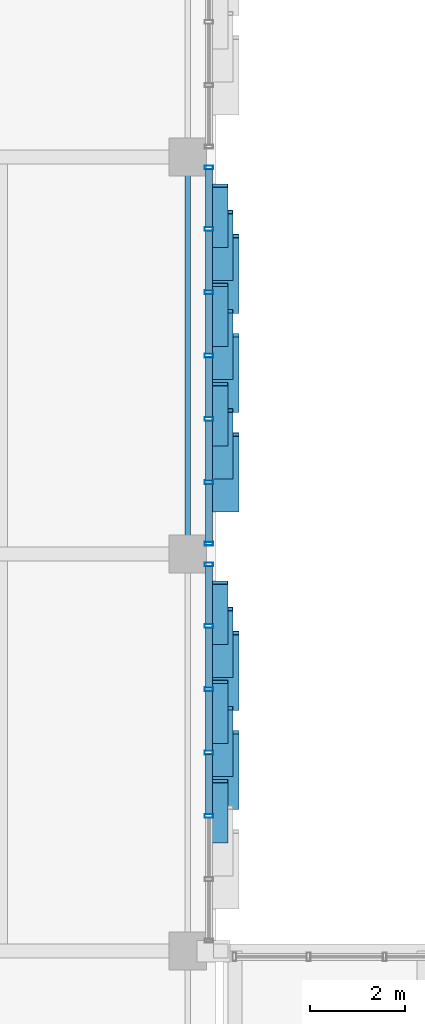
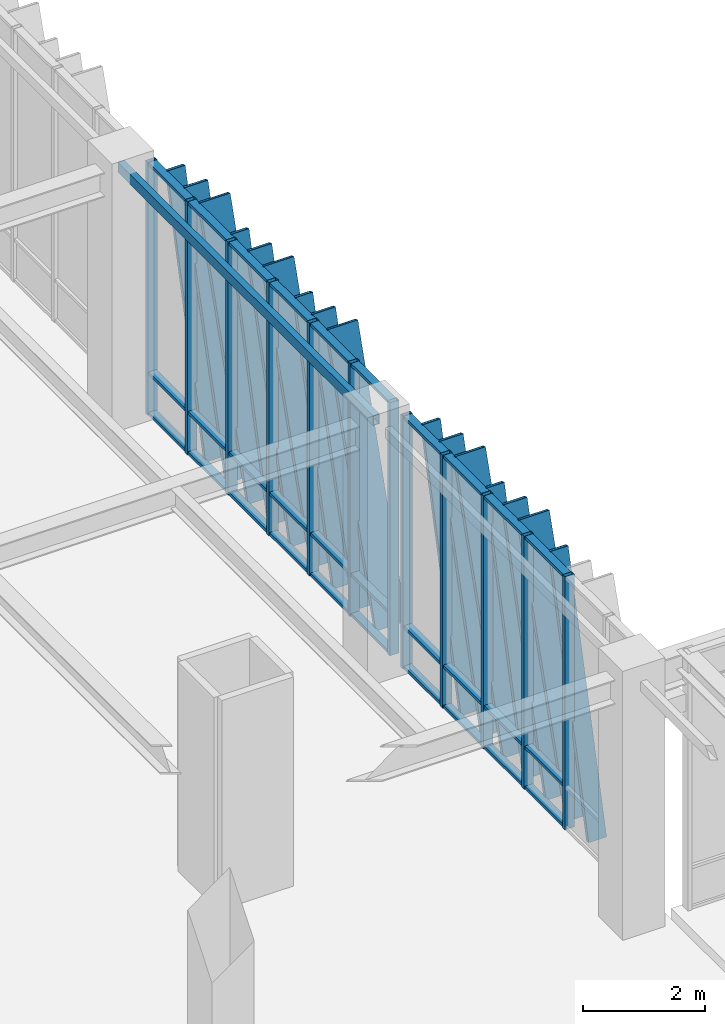
# One storey, part 62 of 139: 58 members, 1 beam, 2 elements without a shape of their own.
"""IFC4 building model written with IfcOpenShell, lengths in metres."""

from ifc_helpers import new_model, si_unit, direction, frame, origin, origin_2d, place, context, subcontext, project, spatial, hollow_rectangle, extrude, material, layer, layer_set, material_profile, profile_set, type_object, element, aggregate, save


model = new_model("IFC4")

# Units and contexts
model_context = context("Model", 3, precision=1e-05, world=origin(), true_north=direction((0.0, 1.0)))
body_context = subcontext(model_context, "Body", "Model", "MODEL_VIEW")
ifc_project = project(units=[si_unit("LENGTHUNIT", "METRE"), si_unit("AREAUNIT", "SQUARE_METRE"), si_unit("VOLUMEUNIT", "CUBIC_METRE"), si_unit("PLANEANGLEUNIT", "RADIAN"), si_unit("MASSUNIT", "GRAM", prefix="KILO")], contexts=[model_context])

# Site, building, storey
site_placement = place(None, origin())
site = spatial("IfcSite", under=ifc_project, at=site_placement, CompositionType="ELEMENT")
building_placement = place(site_placement, origin())
building = spatial("IfcBuilding", under=site, at=building_placement, Name="Zayran Congress Hotel", CompositionType="ELEMENT")
storey_placement = place(building_placement, frame((0.0, 0.0, 5.39990234375)))
storey = spatial("IfcBuildingStorey", under=building, at=storey_placement, Name="L01", CompositionType="ELEMENT", Elevation=5.39990234375)

# Beam
ifc_material_1 = material(Name="Steel S355", Category="steel")
ifc_material_profile_1 = material_profile(ifc_material_1, hollow_rectangle(XDim=0.1201171875, YDim=0.199951171875, WallThickness=0.008056640625, at=origin_2d()), Name="RHS 200x120x8")
ifc_profile_set_1 = profile_set([ifc_material_profile_1], Name="Steel S355")
beam_type = type_object("IfcBeamType", Name="TP-SP-02", PredefinedType="SPANDREL", material=ifc_profile_set_1)
beam_placement = place(storey_placement, frame((91.800048828125, 92.800048828125, 4.97998046875), z_axis=(0.0, 1.0, 0.0), x_axis=(-1.0, 0.0, 0.0)))
element("IfcBeam", 1, at=beam_placement, inside=storey, type_object=beam_type, Name="BM-V1-L01-0615", PredefinedType="SPANDREL", context=body_context, shape_type="SweptSolid", body=[
    extrude(hollow_rectangle(XDim=0.1201171875, YDim=0.199951171875, WallThickness=0.008056640625, at=origin_2d()), origin(), (0.0, 0.0, 1.0), 8.39990234375),
])

# Curtain wall, members
ifc_material_2 = material(Name="Anodised aluminium and low-E insulated glass", Category="aluminium")
ifc_layer_1 = layer(ifc_material_2, 0.179931640625)
ifc_layer_set_1 = layer_set([ifc_layer_1], Name="Anodised aluminium and low-E insulated glass")
curtain_wall_type_1 = type_object("IfcCurtainWallType", Name="CW-V1E-L01-CW-41-8040-5080", PredefinedType="USERDEFINED", material=ifc_layer_set_1)
curtain_wall_1_placement = place(storey_placement, origin())
curtain_wall_1 = element("IfcCurtainWall", 2, at=curtain_wall_1_placement, inside=storey, type_object=curtain_wall_type_1, Name="CW-V1E-L01-2", ObjectType="CURTAIN WALL", PredefinedType="USERDEFINED")
ifc_material_3 = material(Name="Anodised aluminium framing", Category="aluminium")
ifc_material_profile_2 = material_profile(ifc_material_3, hollow_rectangle(XDim=0.080078125, YDim=0.179931640625, WallThickness=0.0048828125, at=origin_2d()), Name="RHS 180x80x5")
ifc_profile_set_2 = profile_set([ifc_material_profile_2], Name="Anodised aluminium framing")
member_type_1 = type_object("IfcMemberType", Name="TP-CWM-01", PredefinedType="MULLION", material=ifc_profile_set_2)
member_1_placement = place(storey_placement, frame((92.25, 87.260009765625, 0.0), z_axis=(0.0, 0.0, 1.0), x_axis=(0.0, 1.0, 0.0)))
member_1 = element("IfcMember", 3, at=member_1_placement, type_object=member_type_1, Name="CW-V1E-L01-2-M02", PredefinedType="MULLION", context=body_context, shape_type="SweptSolid", body=[
    extrude(hollow_rectangle(XDim=0.080078125, YDim=0.179931640625, WallThickness=0.0048828125, at=origin_2d()), origin(), (0.0, 0.0, 1.0), 5.080078125),
])
member_2_placement = place(storey_placement, frame((92.25, 88.60009765625, 0.0), z_axis=(0.0, 0.0, 1.0), x_axis=(0.0, 1.0, 0.0)))
member_2 = element("IfcMember", 4, at=member_2_placement, type_object=member_type_1, Name="CW-V1E-L01-2-M03", PredefinedType="MULLION", context=body_context, shape_type="SweptSolid", body=[
    extrude(hollow_rectangle(XDim=0.080078125, YDim=0.179931640625, WallThickness=0.0048828125, at=origin_2d()), origin(), (0.0, 0.0, 1.0), 5.080078125),
])
member_3_placement = place(storey_placement, frame((92.25, 89.93994140625, 0.0), z_axis=(0.0, 0.0, 1.0), x_axis=(0.0, 1.0, 0.0)))
member_3 = element("IfcMember", 5, at=member_3_placement, type_object=member_type_1, Name="CW-V1E-L01-2-M04", PredefinedType="MULLION", context=body_context, shape_type="SweptSolid", body=[
    extrude(hollow_rectangle(XDim=0.080078125, YDim=0.179931640625, WallThickness=0.0048828125, at=origin_2d()), origin(), (0.0, 0.0, 1.0), 5.080078125),
])
member_4_placement = place(storey_placement, frame((92.25, 91.280029296875, 0.0), z_axis=(0.0, 0.0, 1.0), x_axis=(0.0, 1.0, 0.0)))
member_4 = element("IfcMember", 6, at=member_4_placement, type_object=member_type_1, Name="CW-V1E-L01-2-M05", PredefinedType="MULLION", context=body_context, shape_type="SweptSolid", body=[
    extrude(hollow_rectangle(XDim=0.080078125, YDim=0.179931640625, WallThickness=0.0048828125, at=origin_2d()), origin(), (0.0, 0.0, 1.0), 5.080078125),
])
member_5_placement = place(storey_placement, frame((92.25, 92.580078125, 0.0), z_axis=(0.0, 0.0, 1.0), x_axis=(0.0, 1.0, 0.0)))
member_5 = element("IfcMember", 7, at=member_5_placement, type_object=member_type_1, Name="CW-V1E-L01-2-M06", PredefinedType="MULLION", context=body_context, shape_type="SweptSolid", body=[
    extrude(hollow_rectangle(XDim=0.080078125, YDim=0.179931640625, WallThickness=0.0048828125, at=origin_2d()), origin(), (0.0, 0.0, 1.0), 5.080078125),
])

ifc_layer_2 = layer(ifc_material_2, 0.179931640625)
ifc_layer_set_2 = layer_set([ifc_layer_2], Name="Anodised aluminium and low-E insulated glass")
curtain_wall_type_2 = type_object("IfcCurtainWallType", Name="CW-V1E-L01-CW-42-8040-5080", PredefinedType="USERDEFINED", material=ifc_layer_set_2)
curtain_wall_2_placement = place(storey_placement, origin())
curtain_wall_2 = element("IfcCurtainWall", 8, at=curtain_wall_2_placement, inside=storey, type_object=curtain_wall_type_2, Name="CW-V1E-L01-3", ObjectType="CURTAIN WALL", PredefinedType="USERDEFINED")
member_6_placement = place(storey_placement, frame((92.25, 93.02001953125, 0.0), z_axis=(0.0, 0.0, 1.0), x_axis=(0.0, 1.0, 0.0)))
member_6 = element("IfcMember", 9, at=member_6_placement, type_object=member_type_1, Name="CW-V1E-L01-3-M00", PredefinedType="MULLION", context=body_context, shape_type="SweptSolid", body=[
    extrude(hollow_rectangle(XDim=0.080078125, YDim=0.179931640625, WallThickness=0.0048828125, at=origin_2d()), origin(), (0.0, 0.0, 1.0), 5.080078125),
])
member_7_placement = place(storey_placement, frame((92.25, 94.320068359375, 0.0), z_axis=(0.0, 0.0, 1.0), x_axis=(0.0, 1.0, 0.0)))
member_7 = element("IfcMember", 10, at=member_7_placement, type_object=member_type_1, Name="CW-V1E-L01-3-M01", PredefinedType="MULLION", context=body_context, shape_type="SweptSolid", body=[
    extrude(hollow_rectangle(XDim=0.080078125, YDim=0.179931640625, WallThickness=0.0048828125, at=origin_2d()), origin(), (0.0, 0.0, 1.0), 5.080078125),
])
member_8_placement = place(storey_placement, frame((92.25, 95.659912109375, 0.0), z_axis=(0.0, 0.0, 1.0), x_axis=(0.0, 1.0, 0.0)))
member_8 = element("IfcMember", 11, at=member_8_placement, type_object=member_type_1, Name="CW-V1E-L01-3-M02", PredefinedType="MULLION", context=body_context, shape_type="SweptSolid", body=[
    extrude(hollow_rectangle(XDim=0.080078125, YDim=0.179931640625, WallThickness=0.0048828125, at=origin_2d()), origin(), (0.0, 0.0, 1.0), 5.080078125),
])
member_9_placement = place(storey_placement, frame((92.25, 97.0, 0.0), z_axis=(0.0, 0.0, 1.0), x_axis=(0.0, 1.0, 0.0)))
member_9 = element("IfcMember", 12, at=member_9_placement, type_object=member_type_1, Name="CW-V1E-L01-3-M03", PredefinedType="MULLION", context=body_context, shape_type="SweptSolid", body=[
    extrude(hollow_rectangle(XDim=0.080078125, YDim=0.179931640625, WallThickness=0.0048828125, at=origin_2d()), origin(), (0.0, 0.0, 1.0), 5.080078125),
])
member_10_placement = place(storey_placement, frame((92.25, 98.340087890625, 0.0), z_axis=(0.0, 0.0, 1.0), x_axis=(0.0, 1.0, 0.0)))
member_10 = element("IfcMember", 13, at=member_10_placement, type_object=member_type_1, Name="CW-V1E-L01-3-M04", PredefinedType="MULLION", context=body_context, shape_type="SweptSolid", body=[
    extrude(hollow_rectangle(XDim=0.080078125, YDim=0.179931640625, WallThickness=0.0048828125, at=origin_2d()), origin(), (0.0, 0.0, 1.0), 5.080078125),
])
member_11_placement = place(storey_placement, frame((92.25, 99.679931640625, 0.0), z_axis=(0.0, 0.0, 1.0), x_axis=(0.0, 1.0, 0.0)))
member_11 = element("IfcMember", 14, at=member_11_placement, type_object=member_type_1, Name="CW-V1E-L01-3-M05", PredefinedType="MULLION", context=body_context, shape_type="SweptSolid", body=[
    extrude(hollow_rectangle(XDim=0.080078125, YDim=0.179931640625, WallThickness=0.0048828125, at=origin_2d()), origin(), (0.0, 0.0, 1.0), 5.080078125),
])
member_12_placement = place(storey_placement, frame((92.25, 100.97998046875, 0.0), z_axis=(0.0, 0.0, 1.0), x_axis=(0.0, 1.0, 0.0)))
member_12 = element("IfcMember", 15, at=member_12_placement, type_object=member_type_1, Name="CW-V1E-L01-3-M06", PredefinedType="MULLION", context=body_context, shape_type="SweptSolid", body=[
    extrude(hollow_rectangle(XDim=0.080078125, YDim=0.179931640625, WallThickness=0.0048828125, at=origin_2d()), origin(), (0.0, 0.0, 1.0), 5.080078125),
])

# Member
ifc_material_profile_3 = material_profile(ifc_material_3, hollow_rectangle(XDim=0.06005859375, YDim=0.14990234375, WallThickness=0.00390625, at=origin_2d()), Name="RHS 150x60x4")
ifc_profile_set_3 = profile_set([ifc_material_profile_3], Name="Anodised aluminium framing")
member_type_2 = type_object("IfcMemberType", Name="TP-CWT-01", PredefinedType="USERDEFINED", material=ifc_profile_set_3)
member_13_placement = place(storey_placement, frame((92.25, 87.300048828125, 0.030029296875), z_axis=(0.0, 1.0, 0.0), x_axis=(0.0, 0.0, 1.0)))
member_13 = element("IfcMember", 16, at=member_13_placement, type_object=member_type_2, Name="CW-V1E-L01-2-T02-0", ObjectType="TRANSOM", PredefinedType="USERDEFINED", context=body_context, shape_type="SweptSolid", body=[
    extrude(hollow_rectangle(XDim=0.06005859375, YDim=0.14990234375, WallThickness=0.00390625, at=origin_2d()), origin(), (0.0, 0.0, 1.0), 1.260009765625),
])

member_14_placement = place(storey_placement, frame((92.25, 87.300048828125, 0.840087890625), z_axis=(0.0, 1.0, 0.0), x_axis=(0.0, 0.0, 1.0)))
member_14 = element("IfcMember", 17, at=member_14_placement, type_object=member_type_2, Name="CW-V1E-L01-2-T02-1", ObjectType="TRANSOM", PredefinedType="USERDEFINED", context=body_context, shape_type="SweptSolid", body=[
    extrude(hollow_rectangle(XDim=0.06005859375, YDim=0.14990234375, WallThickness=0.00390625, at=origin_2d()), origin(), (0.0, 0.0, 1.0), 1.260009765625),
])

member_15_placement = place(storey_placement, frame((92.25, 87.300048828125, 5.050048828125), z_axis=(0.0, 1.0, 0.0), x_axis=(0.0, 0.0, 1.0)))
member_15 = element("IfcMember", 18, at=member_15_placement, type_object=member_type_2, Name="CW-V1E-L01-2-T02-2", ObjectType="TRANSOM", PredefinedType="USERDEFINED", context=body_context, shape_type="SweptSolid", body=[
    extrude(hollow_rectangle(XDim=0.06005859375, YDim=0.14990234375, WallThickness=0.00390625, at=origin_2d()), origin(), (0.0, 0.0, 1.0), 1.260009765625),
])

member_16_placement = place(storey_placement, frame((92.25, 88.639892578125, 0.030029296875), z_axis=(0.0, 1.0, 0.0), x_axis=(0.0, 0.0, 1.0)))
member_16 = element("IfcMember", 19, at=member_16_placement, type_object=member_type_2, Name="CW-V1E-L01-2-T03-0", ObjectType="TRANSOM", PredefinedType="USERDEFINED", context=body_context, shape_type="SweptSolid", body=[
    extrude(hollow_rectangle(XDim=0.06005859375, YDim=0.14990234375, WallThickness=0.00390625, at=origin_2d()), origin(), (0.0, 0.0, 1.0), 1.260009765625),
])

member_17_placement = place(storey_placement, frame((92.25, 88.639892578125, 0.840087890625), z_axis=(0.0, 1.0, 0.0), x_axis=(0.0, 0.0, 1.0)))
member_17 = element("IfcMember", 20, at=member_17_placement, type_object=member_type_2, Name="CW-V1E-L01-2-T03-1", ObjectType="TRANSOM", PredefinedType="USERDEFINED", context=body_context, shape_type="SweptSolid", body=[
    extrude(hollow_rectangle(XDim=0.06005859375, YDim=0.14990234375, WallThickness=0.00390625, at=origin_2d()), origin(), (0.0, 0.0, 1.0), 1.260009765625),
])

member_18_placement = place(storey_placement, frame((92.25, 88.639892578125, 5.050048828125), z_axis=(0.0, 1.0, 0.0), x_axis=(0.0, 0.0, 1.0)))
member_18 = element("IfcMember", 21, at=member_18_placement, type_object=member_type_2, Name="CW-V1E-L01-2-T03-2", ObjectType="TRANSOM", PredefinedType="USERDEFINED", context=body_context, shape_type="SweptSolid", body=[
    extrude(hollow_rectangle(XDim=0.06005859375, YDim=0.14990234375, WallThickness=0.00390625, at=origin_2d()), origin(), (0.0, 0.0, 1.0), 1.260009765625),
])

member_19_placement = place(storey_placement, frame((92.25, 89.97998046875, 0.030029296875), z_axis=(0.0, 1.0, 0.0), x_axis=(0.0, 0.0, 1.0)))
member_19 = element("IfcMember", 22, at=member_19_placement, type_object=member_type_2, Name="CW-V1E-L01-2-T04-0", ObjectType="TRANSOM", PredefinedType="USERDEFINED", context=body_context, shape_type="SweptSolid", body=[
    extrude(hollow_rectangle(XDim=0.06005859375, YDim=0.14990234375, WallThickness=0.00390625, at=origin_2d()), origin(), (0.0, 0.0, 1.0), 1.260009765625),
])

member_20_placement = place(storey_placement, frame((92.25, 89.97998046875, 0.840087890625), z_axis=(0.0, 1.0, 0.0), x_axis=(0.0, 0.0, 1.0)))
member_20 = element("IfcMember", 23, at=member_20_placement, type_object=member_type_2, Name="CW-V1E-L01-2-T04-1", ObjectType="TRANSOM", PredefinedType="USERDEFINED", context=body_context, shape_type="SweptSolid", body=[
    extrude(hollow_rectangle(XDim=0.06005859375, YDim=0.14990234375, WallThickness=0.00390625, at=origin_2d()), origin(), (0.0, 0.0, 1.0), 1.260009765625),
])

member_21_placement = place(storey_placement, frame((92.25, 89.97998046875, 5.050048828125), z_axis=(0.0, 1.0, 0.0), x_axis=(0.0, 0.0, 1.0)))
member_21 = element("IfcMember", 24, at=member_21_placement, type_object=member_type_2, Name="CW-V1E-L01-2-T04-2", ObjectType="TRANSOM", PredefinedType="USERDEFINED", context=body_context, shape_type="SweptSolid", body=[
    extrude(hollow_rectangle(XDim=0.06005859375, YDim=0.14990234375, WallThickness=0.00390625, at=origin_2d()), origin(), (0.0, 0.0, 1.0), 1.260009765625),
])

member_22_placement = place(storey_placement, frame((92.25, 91.320068359375, 0.030029296875), z_axis=(0.0, 1.0, 0.0), x_axis=(0.0, 0.0, 1.0)))
member_22 = element("IfcMember", 25, at=member_22_placement, type_object=member_type_2, Name="CW-V1E-L01-2-T05-0", ObjectType="TRANSOM", PredefinedType="USERDEFINED", context=body_context, shape_type="SweptSolid", body=[
    extrude(hollow_rectangle(XDim=0.06005859375, YDim=0.14990234375, WallThickness=0.00390625, at=origin_2d()), origin(), (0.0, 0.0, 1.0), 1.219970703125),
])

member_23_placement = place(storey_placement, frame((92.25, 91.320068359375, 0.840087890625), z_axis=(0.0, 1.0, 0.0), x_axis=(0.0, 0.0, 1.0)))
member_23 = element("IfcMember", 26, at=member_23_placement, type_object=member_type_2, Name="CW-V1E-L01-2-T05-1", ObjectType="TRANSOM", PredefinedType="USERDEFINED", context=body_context, shape_type="SweptSolid", body=[
    extrude(hollow_rectangle(XDim=0.06005859375, YDim=0.14990234375, WallThickness=0.00390625, at=origin_2d()), origin(), (0.0, 0.0, 1.0), 1.219970703125),
])

member_24_placement = place(storey_placement, frame((92.25, 91.320068359375, 5.050048828125), z_axis=(0.0, 1.0, 0.0), x_axis=(0.0, 0.0, 1.0)))
member_24 = element("IfcMember", 27, at=member_24_placement, type_object=member_type_2, Name="CW-V1E-L01-2-T05-2", ObjectType="TRANSOM", PredefinedType="USERDEFINED", context=body_context, shape_type="SweptSolid", body=[
    extrude(hollow_rectangle(XDim=0.06005859375, YDim=0.14990234375, WallThickness=0.00390625, at=origin_2d()), origin(), (0.0, 0.0, 1.0), 1.219970703125),
])

member_25_placement = place(storey_placement, frame((92.25, 93.06005859375, 0.030029296875), z_axis=(0.0, 1.0, 0.0), x_axis=(0.0, 0.0, 1.0)))
member_25 = element("IfcMember", 28, at=member_25_placement, type_object=member_type_2, Name="CW-V1E-L01-3-T00-0", ObjectType="TRANSOM", PredefinedType="USERDEFINED", context=body_context, shape_type="SweptSolid", body=[
    extrude(hollow_rectangle(XDim=0.06005859375, YDim=0.14990234375, WallThickness=0.00390625, at=origin_2d()), origin(), (0.0, 0.0, 1.0), 1.219970703125),
])

member_26_placement = place(storey_placement, frame((92.25, 93.06005859375, 0.840087890625), z_axis=(0.0, 1.0, 0.0), x_axis=(0.0, 0.0, 1.0)))
member_26 = element("IfcMember", 29, at=member_26_placement, type_object=member_type_2, Name="CW-V1E-L01-3-T00-1", ObjectType="TRANSOM", PredefinedType="USERDEFINED", context=body_context, shape_type="SweptSolid", body=[
    extrude(hollow_rectangle(XDim=0.06005859375, YDim=0.14990234375, WallThickness=0.00390625, at=origin_2d()), origin(), (0.0, 0.0, 1.0), 1.219970703125),
])

member_27_placement = place(storey_placement, frame((92.25, 93.06005859375, 5.050048828125), z_axis=(0.0, 1.0, 0.0), x_axis=(0.0, 0.0, 1.0)))
member_27 = element("IfcMember", 30, at=member_27_placement, type_object=member_type_2, Name="CW-V1E-L01-3-T00-2", ObjectType="TRANSOM", PredefinedType="USERDEFINED", context=body_context, shape_type="SweptSolid", body=[
    extrude(hollow_rectangle(XDim=0.06005859375, YDim=0.14990234375, WallThickness=0.00390625, at=origin_2d()), origin(), (0.0, 0.0, 1.0), 1.219970703125),
])

member_28_placement = place(storey_placement, frame((92.25, 94.360107421875, 0.030029296875), z_axis=(0.0, 1.0, 0.0), x_axis=(0.0, 0.0, 1.0)))
member_28 = element("IfcMember", 31, at=member_28_placement, type_object=member_type_2, Name="CW-V1E-L01-3-T01-0", ObjectType="TRANSOM", PredefinedType="USERDEFINED", context=body_context, shape_type="SweptSolid", body=[
    extrude(hollow_rectangle(XDim=0.06005859375, YDim=0.14990234375, WallThickness=0.00390625, at=origin_2d()), origin(), (0.0, 0.0, 1.0), 1.260009765625),
])

member_29_placement = place(storey_placement, frame((92.25, 94.360107421875, 0.840087890625), z_axis=(0.0, 1.0, 0.0), x_axis=(0.0, 0.0, 1.0)))
member_29 = element("IfcMember", 32, at=member_29_placement, type_object=member_type_2, Name="CW-V1E-L01-3-T01-1", ObjectType="TRANSOM", PredefinedType="USERDEFINED", context=body_context, shape_type="SweptSolid", body=[
    extrude(hollow_rectangle(XDim=0.06005859375, YDim=0.14990234375, WallThickness=0.00390625, at=origin_2d()), origin(), (0.0, 0.0, 1.0), 1.260009765625),
])

member_30_placement = place(storey_placement, frame((92.25, 94.360107421875, 5.050048828125), z_axis=(0.0, 1.0, 0.0), x_axis=(0.0, 0.0, 1.0)))
member_30 = element("IfcMember", 33, at=member_30_placement, type_object=member_type_2, Name="CW-V1E-L01-3-T01-2", ObjectType="TRANSOM", PredefinedType="USERDEFINED", context=body_context, shape_type="SweptSolid", body=[
    extrude(hollow_rectangle(XDim=0.06005859375, YDim=0.14990234375, WallThickness=0.00390625, at=origin_2d()), origin(), (0.0, 0.0, 1.0), 1.260009765625),
])

member_31_placement = place(storey_placement, frame((92.25, 95.699951171875, 0.030029296875), z_axis=(0.0, 1.0, 0.0), x_axis=(0.0, 0.0, 1.0)))
member_31 = element("IfcMember", 34, at=member_31_placement, type_object=member_type_2, Name="CW-V1E-L01-3-T02-0", ObjectType="TRANSOM", PredefinedType="USERDEFINED", context=body_context, shape_type="SweptSolid", body=[
    extrude(hollow_rectangle(XDim=0.06005859375, YDim=0.14990234375, WallThickness=0.00390625, at=origin_2d()), origin(), (0.0, 0.0, 1.0), 1.260009765625),
])

member_32_placement = place(storey_placement, frame((92.25, 95.699951171875, 0.840087890625), z_axis=(0.0, 1.0, 0.0), x_axis=(0.0, 0.0, 1.0)))
member_32 = element("IfcMember", 35, at=member_32_placement, type_object=member_type_2, Name="CW-V1E-L01-3-T02-1", ObjectType="TRANSOM", PredefinedType="USERDEFINED", context=body_context, shape_type="SweptSolid", body=[
    extrude(hollow_rectangle(XDim=0.06005859375, YDim=0.14990234375, WallThickness=0.00390625, at=origin_2d()), origin(), (0.0, 0.0, 1.0), 1.260009765625),
])

member_33_placement = place(storey_placement, frame((92.25, 95.699951171875, 5.050048828125), z_axis=(0.0, 1.0, 0.0), x_axis=(0.0, 0.0, 1.0)))
member_33 = element("IfcMember", 36, at=member_33_placement, type_object=member_type_2, Name="CW-V1E-L01-3-T02-2", ObjectType="TRANSOM", PredefinedType="USERDEFINED", context=body_context, shape_type="SweptSolid", body=[
    extrude(hollow_rectangle(XDim=0.06005859375, YDim=0.14990234375, WallThickness=0.00390625, at=origin_2d()), origin(), (0.0, 0.0, 1.0), 1.260009765625),
])

member_34_placement = place(storey_placement, frame((92.25, 97.0400390625, 0.030029296875), z_axis=(0.0, 1.0, 0.0), x_axis=(0.0, 0.0, 1.0)))
member_34 = element("IfcMember", 37, at=member_34_placement, type_object=member_type_2, Name="CW-V1E-L01-3-T03-0", ObjectType="TRANSOM", PredefinedType="USERDEFINED", context=body_context, shape_type="SweptSolid", body=[
    extrude(hollow_rectangle(XDim=0.06005859375, YDim=0.14990234375, WallThickness=0.00390625, at=origin_2d()), origin(), (0.0, 0.0, 1.0), 1.260009765625),
])

member_35_placement = place(storey_placement, frame((92.25, 97.0400390625, 0.840087890625), z_axis=(0.0, 1.0, 0.0), x_axis=(0.0, 0.0, 1.0)))
member_35 = element("IfcMember", 38, at=member_35_placement, type_object=member_type_2, Name="CW-V1E-L01-3-T03-1", ObjectType="TRANSOM", PredefinedType="USERDEFINED", context=body_context, shape_type="SweptSolid", body=[
    extrude(hollow_rectangle(XDim=0.06005859375, YDim=0.14990234375, WallThickness=0.00390625, at=origin_2d()), origin(), (0.0, 0.0, 1.0), 1.260009765625),
])

member_36_placement = place(storey_placement, frame((92.25, 97.0400390625, 5.050048828125), z_axis=(0.0, 1.0, 0.0), x_axis=(0.0, 0.0, 1.0)))
member_36 = element("IfcMember", 39, at=member_36_placement, type_object=member_type_2, Name="CW-V1E-L01-3-T03-2", ObjectType="TRANSOM", PredefinedType="USERDEFINED", context=body_context, shape_type="SweptSolid", body=[
    extrude(hollow_rectangle(XDim=0.06005859375, YDim=0.14990234375, WallThickness=0.00390625, at=origin_2d()), origin(), (0.0, 0.0, 1.0), 1.260009765625),
])

member_37_placement = place(storey_placement, frame((92.25, 98.3798828125, 0.030029296875), z_axis=(0.0, 1.0, 0.0), x_axis=(0.0, 0.0, 1.0)))
member_37 = element("IfcMember", 40, at=member_37_placement, type_object=member_type_2, Name="CW-V1E-L01-3-T04-0", ObjectType="TRANSOM", PredefinedType="USERDEFINED", context=body_context, shape_type="SweptSolid", body=[
    extrude(hollow_rectangle(XDim=0.06005859375, YDim=0.14990234375, WallThickness=0.00390625, at=origin_2d()), origin(), (0.0, 0.0, 1.0), 1.260009765625),
])

member_38_placement = place(storey_placement, frame((92.25, 98.3798828125, 0.840087890625), z_axis=(0.0, 1.0, 0.0), x_axis=(0.0, 0.0, 1.0)))
member_38 = element("IfcMember", 41, at=member_38_placement, type_object=member_type_2, Name="CW-V1E-L01-3-T04-1", ObjectType="TRANSOM", PredefinedType="USERDEFINED", context=body_context, shape_type="SweptSolid", body=[
    extrude(hollow_rectangle(XDim=0.06005859375, YDim=0.14990234375, WallThickness=0.00390625, at=origin_2d()), origin(), (0.0, 0.0, 1.0), 1.260009765625),
])

member_39_placement = place(storey_placement, frame((92.25, 98.3798828125, 5.050048828125), z_axis=(0.0, 1.0, 0.0), x_axis=(0.0, 0.0, 1.0)))
member_39 = element("IfcMember", 42, at=member_39_placement, type_object=member_type_2, Name="CW-V1E-L01-3-T04-2", ObjectType="TRANSOM", PredefinedType="USERDEFINED", context=body_context, shape_type="SweptSolid", body=[
    extrude(hollow_rectangle(XDim=0.06005859375, YDim=0.14990234375, WallThickness=0.00390625, at=origin_2d()), origin(), (0.0, 0.0, 1.0), 1.260009765625),
])

member_40_placement = place(storey_placement, frame((92.25, 99.719970703125, 0.030029296875), z_axis=(0.0, 1.0, 0.0), x_axis=(0.0, 0.0, 1.0)))
member_40 = element("IfcMember", 43, at=member_40_placement, type_object=member_type_2, Name="CW-V1E-L01-3-T05-0", ObjectType="TRANSOM", PredefinedType="USERDEFINED", context=body_context, shape_type="SweptSolid", body=[
    extrude(hollow_rectangle(XDim=0.06005859375, YDim=0.14990234375, WallThickness=0.00390625, at=origin_2d()), origin(), (0.0, 0.0, 1.0), 1.219970703125),
])

member_41_placement = place(storey_placement, frame((92.25, 99.719970703125, 0.840087890625), z_axis=(0.0, 1.0, 0.0), x_axis=(0.0, 0.0, 1.0)))
member_41 = element("IfcMember", 44, at=member_41_placement, type_object=member_type_2, Name="CW-V1E-L01-3-T05-1", ObjectType="TRANSOM", PredefinedType="USERDEFINED", context=body_context, shape_type="SweptSolid", body=[
    extrude(hollow_rectangle(XDim=0.06005859375, YDim=0.14990234375, WallThickness=0.00390625, at=origin_2d()), origin(), (0.0, 0.0, 1.0), 1.219970703125),
])

member_42_placement = place(storey_placement, frame((92.25, 99.719970703125, 5.050048828125), z_axis=(0.0, 1.0, 0.0), x_axis=(0.0, 0.0, 1.0)))
member_42 = element("IfcMember", 45, at=member_42_placement, type_object=member_type_2, Name="CW-V1E-L01-3-T05-2", ObjectType="TRANSOM", PredefinedType="USERDEFINED", context=body_context, shape_type="SweptSolid", body=[
    extrude(hollow_rectangle(XDim=0.06005859375, YDim=0.14990234375, WallThickness=0.00390625, at=origin_2d()), origin(), (0.0, 0.0, 1.0), 1.219970703125),
])

ifc_material_4 = material(Name="Warm bronze anodised aluminium", Category="aluminium")
ifc_material_profile_4 = material_profile(ifc_material_4, hollow_rectangle(XDim=0.080078125, YDim=0.580078125, WallThickness=0.006103515625, at=origin_2d()), Name="RHS 580x80x6")
ifc_profile_set_4 = profile_set([ifc_material_profile_4], Name="Warm bronze anodised aluminium")
member_type_3 = type_object("IfcMemberType", Name="TP-RFN-01", PredefinedType="MULLION", material=ifc_profile_set_4)
member_43_placement = place(storey_placement, frame((92.60009765625, 87.429931640625, 0.0), z_axis=(0.0, 0.300716755525, 0.953713496259), x_axis=(0.0, -0.953713496259, 0.300716755525)))
member_43 = element("IfcMember", 46, at=member_43_placement, type_object=member_type_3, Name="Slanting Reed Mullion CW-41-04", PredefinedType="MULLION", context=body_context, shape_type="SweptSolid", body=[
    extrude(hollow_rectangle(XDim=0.080078125, YDim=0.580078125, WallThickness=0.006103515625, at=origin_2d()), origin(), (0.0, 0.0, 1.0), 5.32666015625),
])

member_44_placement = place(storey_placement, frame((92.60009765625, 89.530029296875, 0.0), z_axis=(0.0, 0.300675065474, 0.953726640606), x_axis=(0.0, -0.953726640606, 0.300675065474)))
member_44 = element("IfcMember", 47, at=member_44_placement, type_object=member_type_3, Name="Slanting Reed Mullion CW-41-07", PredefinedType="MULLION", context=body_context, shape_type="SweptSolid", body=[
    extrude(hollow_rectangle(XDim=0.080078125, YDim=0.580078125, WallThickness=0.006103515625, at=origin_2d()), origin(), (0.0, 0.0, 1.0), 5.32666015625),
])

member_45_placement = place(storey_placement, frame((92.60009765625, 93.72998046875, 0.0), z_axis=(0.0, 0.300716755525, 0.953713496259), x_axis=(0.0, -0.953713496259, 0.300716755525)))
member_45 = element("IfcMember", 48, at=member_45_placement, type_object=member_type_3, Name="Slanting Reed Mullion CW-42-01", PredefinedType="MULLION", context=body_context, shape_type="SweptSolid", body=[
    extrude(hollow_rectangle(XDim=0.080078125, YDim=0.580078125, WallThickness=0.006103515625, at=origin_2d()), origin(), (0.0, 0.0, 1.0), 5.32666015625),
])

member_46_placement = place(storey_placement, frame((92.60009765625, 95.830078125, 0.0), z_axis=(0.0, 0.300675065474, 0.953726640606), x_axis=(0.0, -0.953726640606, 0.300675065474)))
member_46 = element("IfcMember", 49, at=member_46_placement, type_object=member_type_3, Name="Slanting Reed Mullion CW-42-04", PredefinedType="MULLION", context=body_context, shape_type="SweptSolid", body=[
    extrude(hollow_rectangle(XDim=0.080078125, YDim=0.580078125, WallThickness=0.006103515625, at=origin_2d()), origin(), (0.0, 0.0, 1.0), 5.32666015625),
])

member_47_placement = place(storey_placement, frame((92.60009765625, 97.929931640625, 0.0), z_axis=(0.0, 0.300716755525, 0.953713496259), x_axis=(0.0, -0.953713496259, 0.300716755525)))
member_47 = element("IfcMember", 50, at=member_47_placement, type_object=member_type_3, Name="Slanting Reed Mullion CW-42-07", PredefinedType="MULLION", context=body_context, shape_type="SweptSolid", body=[
    extrude(hollow_rectangle(XDim=0.080078125, YDim=0.580078125, WallThickness=0.006103515625, at=origin_2d()), origin(), (0.0, 0.0, 1.0), 5.32666015625),
])

ifc_material_profile_5 = material_profile(ifc_material_4, hollow_rectangle(XDim=0.080078125, YDim=0.449951171875, WallThickness=0.006103515625, at=origin_2d()), Name="RHS 450x80x6")
ifc_profile_set_5 = profile_set([ifc_material_profile_5], Name="Warm bronze anodised aluminium")
member_type_4 = type_object("IfcMemberType", Name="TP-RFN-02", PredefinedType="MULLION", material=ifc_profile_set_5)
member_48_placement = place(storey_placement, frame((92.534912109375, 88.1298828125, 0.0), z_axis=(0.0, 0.267256905477, 0.96362531436), x_axis=(0.0, -0.96362531436, 0.267256905477)))
member_48 = element("IfcMember", 51, at=member_48_placement, type_object=member_type_4, Name="Slanting Reed Mullion CW-41-05", PredefinedType="MULLION", context=body_context, shape_type="SweptSolid", body=[
    extrude(hollow_rectangle(XDim=0.080078125, YDim=0.449951171875, WallThickness=0.006103515625, at=origin_2d()), origin(), (0.0, 0.0, 1.0), 5.271728515625),
])

member_49_placement = place(storey_placement, frame((92.534912109375, 90.22998046875, 0.0), z_axis=(0.0, 0.267256905477, 0.96362531436), x_axis=(0.0, -0.96362531436, 0.267256905477)))
member_49 = element("IfcMember", 52, at=member_49_placement, type_object=member_type_4, Name="Slanting Reed Mullion CW-41-08", PredefinedType="MULLION", context=body_context, shape_type="SweptSolid", body=[
    extrude(hollow_rectangle(XDim=0.080078125, YDim=0.449951171875, WallThickness=0.006103515625, at=origin_2d()), origin(), (0.0, 0.0, 1.0), 5.271728515625),
])

member_50_placement = place(storey_placement, frame((92.534912109375, 94.429931640625, 0.0), z_axis=(0.0, 0.267256905477, 0.96362531436), x_axis=(0.0, -0.96362531436, 0.267256905477)))
member_50 = element("IfcMember", 53, at=member_50_placement, type_object=member_type_4, Name="Slanting Reed Mullion CW-42-02", PredefinedType="MULLION", context=body_context, shape_type="SweptSolid", body=[
    extrude(hollow_rectangle(XDim=0.080078125, YDim=0.449951171875, WallThickness=0.006103515625, at=origin_2d()), origin(), (0.0, 0.0, 1.0), 5.271728515625),
])

member_51_placement = place(storey_placement, frame((92.534912109375, 96.530029296875, 0.0), z_axis=(0.0, 0.267213902124, 0.963637240102), x_axis=(0.0, -0.963637240102, 0.267213902124)))
member_51 = element("IfcMember", 54, at=member_51_placement, type_object=member_type_4, Name="Slanting Reed Mullion CW-42-05", PredefinedType="MULLION", context=body_context, shape_type="SweptSolid", body=[
    extrude(hollow_rectangle(XDim=0.080078125, YDim=0.449951171875, WallThickness=0.006103515625, at=origin_2d()), origin(), (0.0, 0.0, 1.0), 5.271728515625),
])

member_52_placement = place(storey_placement, frame((92.534912109375, 98.6298828125, 0.0), z_axis=(0.0, 0.267256905477, 0.96362531436), x_axis=(0.0, -0.96362531436, 0.267256905477)))
member_52 = element("IfcMember", 55, at=member_52_placement, type_object=member_type_4, Name="Slanting Reed Mullion CW-42-08", PredefinedType="MULLION", context=body_context, shape_type="SweptSolid", body=[
    extrude(hollow_rectangle(XDim=0.080078125, YDim=0.449951171875, WallThickness=0.006103515625, at=origin_2d()), origin(), (0.0, 0.0, 1.0), 5.271728515625),
])

ifc_material_profile_6 = material_profile(ifc_material_4, hollow_rectangle(XDim=0.080078125, YDim=0.340087890625, WallThickness=0.006103515625, at=origin_2d()), Name="RHS 340x80x6")
ifc_profile_set_6 = profile_set([ifc_material_profile_6], Name="Warm bronze anodised aluminium")
member_type_5 = type_object("IfcMemberType", Name="TP-RFN-03", PredefinedType="MULLION", material=ifc_profile_set_6)
member_53_placement = place(storey_placement, frame((92.47998046875, 86.72998046875, 0.0), z_axis=(0.0, 0.241921145618, 0.970295913267), x_axis=(0.0, -0.970295913267, 0.241921145618)))
member_53 = element("IfcMember", 56, at=member_53_placement, type_object=member_type_5, Name="Slanting Reed Mullion CW-41-03", PredefinedType="MULLION", context=body_context, shape_type="SweptSolid", body=[
    extrude(hollow_rectangle(XDim=0.080078125, YDim=0.340087890625, WallThickness=0.006103515625, at=origin_2d()), origin(), (0.0, 0.0, 1.0), 5.235595703125),
])

member_54_placement = place(storey_placement, frame((92.47998046875, 88.830078125, 0.0), z_axis=(0.0, 0.241921145618, 0.970295913267), x_axis=(0.0, -0.970295913267, 0.241921145618)))
member_54 = element("IfcMember", 57, at=member_54_placement, type_object=member_type_5, Name="Slanting Reed Mullion CW-41-06", PredefinedType="MULLION", context=body_context, shape_type="SweptSolid", body=[
    extrude(hollow_rectangle(XDim=0.080078125, YDim=0.340087890625, WallThickness=0.006103515625, at=origin_2d()), origin(), (0.0, 0.0, 1.0), 5.235595703125),
])

member_55_placement = place(storey_placement, frame((92.47998046875, 90.929931640625, 0.0), z_axis=(0.0, 0.241921145618, 0.970295913267), x_axis=(0.0, -0.970295913267, 0.241921145618)))
member_55 = element("IfcMember", 58, at=member_55_placement, type_object=member_type_5, Name="Slanting Reed Mullion CW-41-09", PredefinedType="MULLION", context=body_context, shape_type="SweptSolid", body=[
    extrude(hollow_rectangle(XDim=0.080078125, YDim=0.340087890625, WallThickness=0.006103515625, at=origin_2d()), origin(), (0.0, 0.0, 1.0), 5.235595703125),
])

aggregate(curtain_wall_1, [member_1, member_2, member_3, member_4, member_5, member_13, member_14, member_15, member_16, member_17, member_18, member_19, member_20, member_21, member_22, member_23, member_24, member_53, member_43, member_48, member_54, member_44, member_49, member_55])

member_56_placement = place(storey_placement, frame((92.47998046875, 95.1298828125, 0.0), z_axis=(0.0, 0.241921145618, 0.970295913267), x_axis=(0.0, -0.970295913267, 0.241921145618)))
member_56 = element("IfcMember", 59, at=member_56_placement, type_object=member_type_5, Name="Slanting Reed Mullion CW-42-03", PredefinedType="MULLION", context=body_context, shape_type="SweptSolid", body=[
    extrude(hollow_rectangle(XDim=0.080078125, YDim=0.340087890625, WallThickness=0.006103515625, at=origin_2d()), origin(), (0.0, 0.0, 1.0), 5.235595703125),
])

member_57_placement = place(storey_placement, frame((92.47998046875, 97.22998046875, 0.0), z_axis=(0.0, 0.241921145618, 0.970295913267), x_axis=(0.0, -0.970295913267, 0.241921145618)))
member_57 = element("IfcMember", 60, at=member_57_placement, type_object=member_type_5, Name="Slanting Reed Mullion CW-42-06", PredefinedType="MULLION", context=body_context, shape_type="SweptSolid", body=[
    extrude(hollow_rectangle(XDim=0.080078125, YDim=0.340087890625, WallThickness=0.006103515625, at=origin_2d()), origin(), (0.0, 0.0, 1.0), 5.235595703125),
])

member_58_placement = place(storey_placement, frame((92.47998046875, 99.330078125, 0.0), z_axis=(0.0, 0.241921145618, 0.970295913267), x_axis=(0.0, -0.970295913267, 0.241921145618)))
member_58 = element("IfcMember", 61, at=member_58_placement, type_object=member_type_5, Name="Slanting Reed Mullion CW-42-09", PredefinedType="MULLION", context=body_context, shape_type="SweptSolid", body=[
    extrude(hollow_rectangle(XDim=0.080078125, YDim=0.340087890625, WallThickness=0.006103515625, at=origin_2d()), origin(), (0.0, 0.0, 1.0), 5.235595703125),
])

aggregate(curtain_wall_2, [member_6, member_7, member_8, member_9, member_10, member_11, member_12, member_25, member_26, member_27, member_28, member_29, member_30, member_31, member_32, member_33, member_34, member_35, member_36, member_37, member_38, member_39, member_40, member_41, member_42, member_45, member_50, member_56, member_46, member_51, member_57, member_47, member_52, member_58])

save(model, "model.ifc")
